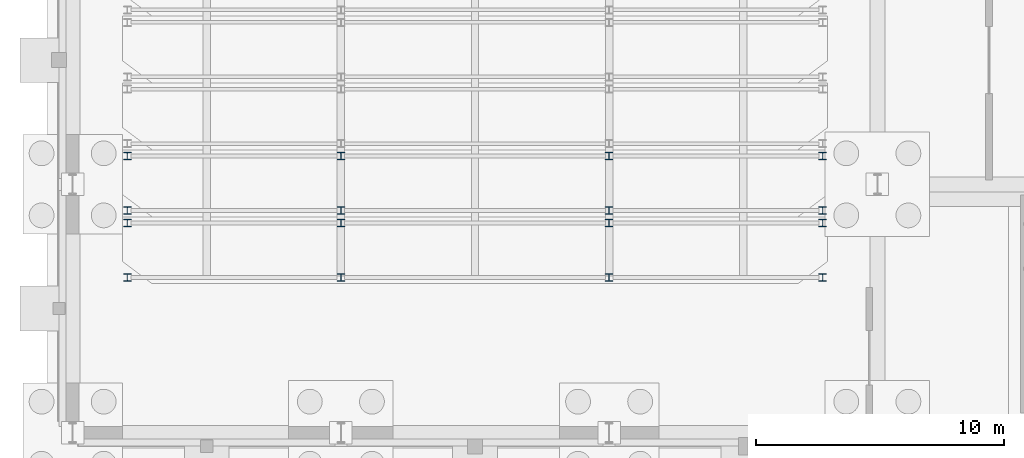
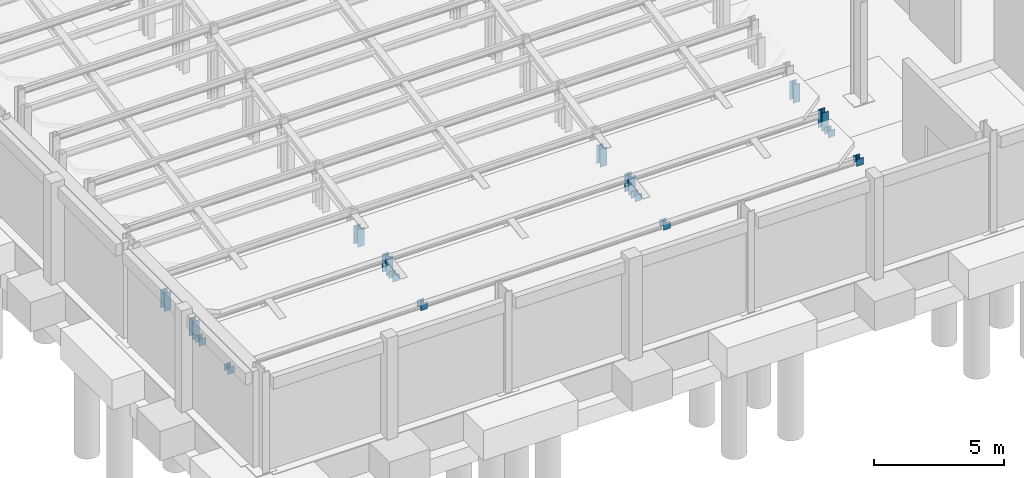
# One storey, part 22 of 73: 16 columns.
"""IFC4 building model written with IfcOpenShell, lengths in metres."""

from ifc_helpers import new_model, si_unit, direction, frame, origin, origin_2d, place, context, subcontext, project, spatial, i_section, extrude, material, material_profile, profile_set, type_object, element, save


model = new_model("IFC4")

# Units and contexts
model_context = context("Model", 3, precision=1e-05, world=origin(), true_north=direction((0.0, 1.0)))
body_context = subcontext(model_context, "Body", "Model", "MODEL_VIEW")
ifc_project = project(units=[si_unit("LENGTHUNIT", "METRE"), si_unit("AREAUNIT", "SQUARE_METRE"), si_unit("VOLUMEUNIT", "CUBIC_METRE"), si_unit("PLANEANGLEUNIT", "RADIAN"), si_unit("MASSUNIT", "GRAM", prefix="KILO")], contexts=[model_context])

# Site, building, storey
site_placement = place(None, origin())
site = spatial("IfcSite", under=ifc_project, at=site_placement, CompositionType="ELEMENT")
building_placement = place(site_placement, origin())
building = spatial("IfcBuilding", under=site, at=building_placement, Name="Tasgan Crest Museum", CompositionType="ELEMENT")
storey_placement = place(building_placement, origin())
storey = spatial("IfcBuildingStorey", under=building, at=storey_placement, Name="L00", CompositionType="ELEMENT", Elevation=0.0)

# Columns
ifc_material = material(Name="Steel S355J2", Category="steel")
ifc_material_profile = material_profile(ifc_material, i_section(OverallWidth=0.300048828125, OverallDepth=0.300048828125, WebThickness=0.010986328125, FlangeThickness=0.01904296875, FilletRadius=0.027099609375, at=origin_2d()), Name="HEB 300")
ifc_profile_set = profile_set([ifc_material_profile], Name="Steel S355J2")
column_type = type_object("IfcColumnType", Name="COL-HEB300", PredefinedType="COLUMN", material=ifc_profile_set)
for number, where, z_axis, x_axis, name in (
    (1, (2.199951171875, 6.25, 0.0), (0.0, 0.0, 1.0), (1.0, 0.0, 0.0), "Auditorium tier support post T1 F X=2.2"),
    (2, (10.800048828125, 6.25, 0.0), (0.0, 0.0, 1.0), (1.0, 0.0, 0.0), "Auditorium tier support post T1 F X=10.8"),
    (3, (21.60009765625, 6.25, 0.0), (0.0, 0.0, 1.0), (1.0, 0.0, 0.0), "Auditorium tier support post T1 F X=21.6"),
    (4, (30.199951171875, 6.25, 0.0), (0.0, 0.0, 1.0), (1.0, 0.0, 0.0), "Auditorium tier support post T1 F X=30.2"),
    (5, (2.199951171875, 8.44384765625, 0.0), (0.0, 0.0, 1.0), (1.0, 0.0, 0.0), "Auditorium tier support post T1 B X=2.2"),
    (6, (10.800048828125, 8.44384765625, 0.0), (0.0, 0.0, 1.0), (1.0, 0.0, 0.0), "Auditorium tier support post T1 B X=10.8"),
    (7, (21.60009765625, 8.44384765625, 0.0), (0.0, 0.0, 1.0), (1.0, 0.0, 0.0), "Auditorium tier support post T1 B X=21.6"),
    (8, (30.199951171875, 8.44384765625, 0.0), (0.0, 0.0, 1.0), (1.0, 0.0, 0.0), "Auditorium tier support post T1 B X=30.2"),
):
    element("IfcColumn", number, at=place(storey_placement, frame(where, z_axis=z_axis, x_axis=x_axis)), inside=storey, type_object=column_type, Name=name, PredefinedType="COLUMN", context=body_context, shape_type="SweptSolid", body=[
        extrude(i_section(OverallWidth=0.300048828125, OverallDepth=0.300048828125, WebThickness=0.010986328125, FlangeThickness=0.01904296875, FilletRadius=0.027099609375, at=origin_2d()), origin(), (0.0, 0.0, 1.0), 0.320068359375),
    ])
for number, where, z_axis, x_axis, name in (
    (9, (2.199951171875, 8.94384765625, 0.0), (0.0, 0.0, 1.0), (1.0, 0.0, 0.0), "Auditorium tier support post T2 F X=2.2"),
    (10, (10.800048828125, 8.94384765625, 0.0), (0.0, 0.0, 1.0), (1.0, 0.0, 0.0), "Auditorium tier support post T2 F X=10.8"),
    (11, (21.60009765625, 8.94384765625, 0.0), (0.0, 0.0, 1.0), (1.0, 0.0, 0.0), "Auditorium tier support post T2 F X=21.6"),
    (12, (30.199951171875, 8.94384765625, 0.0), (0.0, 0.0, 1.0), (1.0, 0.0, 0.0), "Auditorium tier support post T2 F X=30.2"),
    (13, (2.199951171875, 11.137451171875, 0.0), (0.0, 0.0, 1.0), (1.0, 0.0, 0.0), "Auditorium tier support post T2 B X=2.2"),
    (14, (10.800048828125, 11.137451171875, 0.0), (0.0, 0.0, 1.0), (1.0, 0.0, 0.0), "Auditorium tier support post T2 B X=10.8"),
    (15, (21.60009765625, 11.137451171875, 0.0), (0.0, 0.0, 1.0), (1.0, 0.0, 0.0), "Auditorium tier support post T2 B X=21.6"),
    (16, (30.199951171875, 11.137451171875, 0.0), (0.0, 0.0, 1.0), (1.0, 0.0, 0.0), "Auditorium tier support post T2 B X=30.2"),
):
    element("IfcColumn", number, at=place(storey_placement, frame(where, z_axis=z_axis, x_axis=x_axis)), inside=storey, type_object=column_type, Name=name, PredefinedType="COLUMN", context=body_context, shape_type="SweptSolid", body=[
        extrude(i_section(OverallWidth=0.300048828125, OverallDepth=0.300048828125, WebThickness=0.010986328125, FlangeThickness=0.01904296875, FilletRadius=0.027099609375, at=origin_2d()), origin(), (0.0, 0.0, 1.0), 0.860107421875),
    ])

save(model, "model.ifc")
